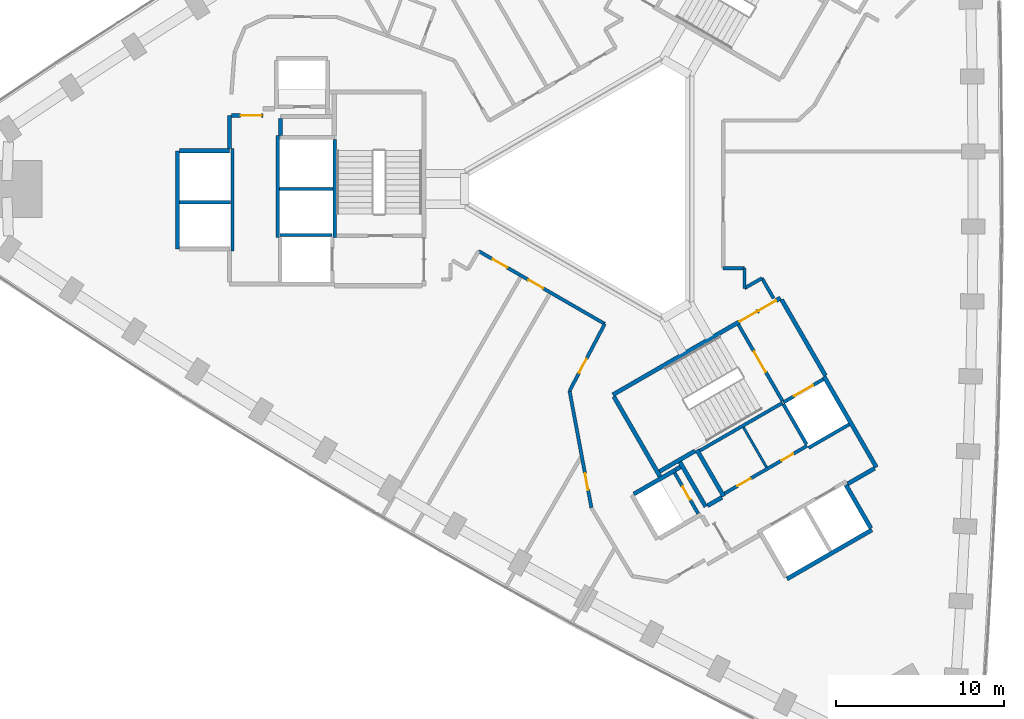
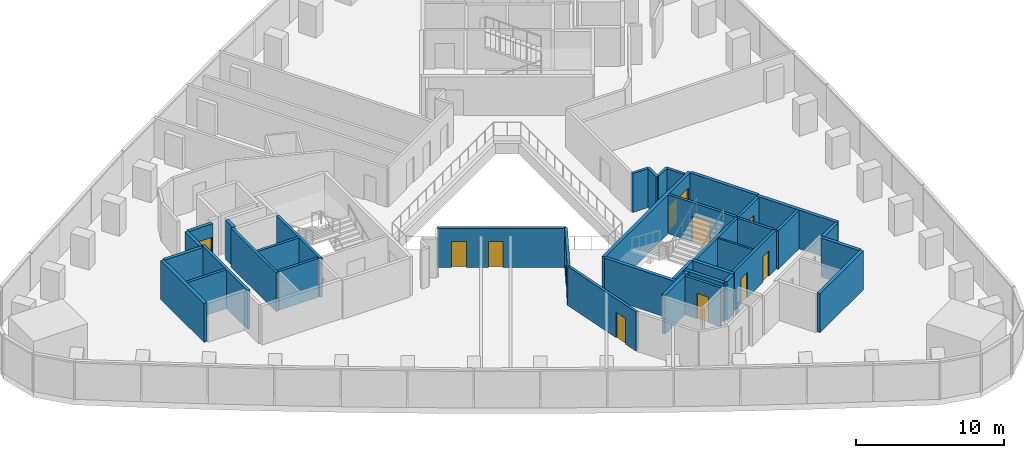
# One storey, part 8 of 12: 39 walls, 12 doors, 12 openings.
"""IFC4 building model written with IfcOpenShell, lengths in metres."""

import ifcopenshell
import ifcopenshell.guid

model = None  # the IFC model being written
_history = None  # IfcOwnerHistory: only IFC2X3 demands one
_inside = {}  # id of a spatial element -> (the spatial element, [elements in it])
_under = {}  # id of a project, library or spatial element -> (it, [spatial elements below it])
_declared = {}  # id of a project -> (the project, [libraries it declares])
_typed = {}  # id of a type object -> (the type object, [elements of that type])
_made_of = {}  # id of a material, layer set ... -> (it, [elements and type objects made of it])


def new_model(schema):
    """Start an empty IFC model of exactly this schema.

    Asked for "IFC4X3", IfcOpenShell would pick the latest addendum, in which some entities
    have other attributes; the version numbers below select the first issue.
    IFC2X3 requires an IfcOwnerHistory on every rooted entity: one is made here for all.
    """
    global model, _history
    if schema == "IFC4X3":
        model = ifcopenshell.file(schema_version=(4, 3, 0, 0))
    else:
        model = ifcopenshell.file(schema=schema)
    _inside.clear()
    _under.clear()
    _declared.clear()
    _typed.clear()
    _made_of.clear()
    _history = None
    if model.schema == "IFC2X3":
        org = make("IfcOrganization", Name="unknown")
        user = make(
            "IfcPersonAndOrganization",
            ThePerson=make("IfcPerson", FamilyName="unknown"),
            TheOrganization=org,
        )
        app = make(
            "IfcApplication",
            ApplicationDeveloper=org,
            Version="unknown",
            ApplicationFullName="unknown",
            ApplicationIdentifier="unknown",
        )
        _history = make(
            "IfcOwnerHistory",
            OwningUser=user,
            OwningApplication=app,
            ChangeAction="ADDED",
            CreationDate=0,
        )
    return model


def make(cls, **values):
    """One entity of the class cls with the attributes given. An attribute that is None is left unset."""
    return model.create_entity(
        cls, **{name: value for name, value in values.items() if value is not None}
    )


def rooted(cls, **values):
    """An entity with a GlobalId (a new one), such as an element, a storey or a relation."""
    return make(cls, GlobalId=ifcopenshell.guid.new(), OwnerHistory=_history, **values)


def si_unit(unit_type, name, prefix=None):
    """IfcSIUnit, for example si_unit("LENGTHUNIT", "METRE", prefix="MILLI")."""
    return make("IfcSIUnit", UnitType=unit_type, Prefix=prefix, Name=name)


def assignment(units):
    """IfcUnitAssignment: the units of a project."""
    return None if units is None else make("IfcUnitAssignment", Units=units)


def point(xyz):
    """IfcCartesianPoint."""
    return None if xyz is None else make("IfcCartesianPoint", Coordinates=xyz)


def direction(xyz):
    """IfcDirection."""
    return None if xyz is None else make("IfcDirection", DirectionRatios=xyz)


def frame(location, z_axis=None, x_axis=None):
    """IfcAxis2Placement3D, a coordinate frame: its origin and axes. An axis left out is left unset."""
    return make(
        "IfcAxis2Placement3D",
        Location=point(location),
        Axis=direction(z_axis),
        RefDirection=direction(x_axis),
    )


def frame_2d(location, x_axis=None):
    """IfcAxis2Placement2D, a coordinate frame in the plane: its origin and x axis."""
    return make(
        "IfcAxis2Placement2D", Location=point(location), RefDirection=direction(x_axis)
    )


def origin():
    """The frame at (0, 0, 0) with its axes left unset."""
    return frame((0.0, 0.0, 0.0))


def place(relative_to, where):
    """IfcLocalPlacement: puts the frame where relative to a parent placement (None: the world)."""
    return make(
        "IfcLocalPlacement", PlacementRelTo=relative_to, RelativePlacement=where
    )


def context(
    kind, dimensions, precision=None, world=None, true_north=None, identifier=None
):
    """IfcGeometricRepresentationContext, for example the 3D "Model" context."""
    return make(
        "IfcGeometricRepresentationContext",
        ContextIdentifier=identifier,
        ContextType=kind,
        CoordinateSpaceDimension=dimensions,
        Precision=precision,
        WorldCoordinateSystem=world,
        TrueNorth=true_north,
    )


def subcontext(parent, identifier, kind, view, scale=None):
    """IfcGeometricRepresentationSubContext, for example "Body" below "Model"."""
    return make(
        "IfcGeometricRepresentationSubContext",
        ContextIdentifier=identifier,
        ContextType=kind,
        ParentContext=parent,
        TargetScale=scale,
        TargetView=view,
    )


def project(units=None, contexts=None):
    """IfcProject with its units and contexts."""
    return rooted(
        "IfcProject",
        Name="project",
        RepresentationContexts=contexts,
        UnitsInContext=assignment(units),
    )


def spatial(cls, under=None, at=None, **own):
    """A site, building, storey or space (cls), placed at a placement, below another one or the project."""
    s = rooted(cls, ObjectPlacement=at, **own)
    if under is not None:
        _under.setdefault(under.id(), (under, []))[1].append(s)
    return s


def profile(cls, at=None, kind="AREA", **sizes):
    """A parametric profile (cls). Its sizes go by their IFC names, for example OverallWidth=200.0."""
    return make(cls, ProfileType=kind, Position=at, **sizes)


def rectangle(**sizes):
    """IfcRectangleProfileDef."""
    return profile("IfcRectangleProfileDef", **sizes)


def extrude(swept, where, along, depth):
    """IfcExtrudedAreaSolid: the profile swept, set in the frame where, extruded along a direction by depth."""
    return make(
        "IfcExtrudedAreaSolid",
        SweptArea=swept,
        Position=where,
        ExtrudedDirection=direction(along),
        Depth=depth,
    )


def shape(context_of_items, identifier, shape_type, items):
    """IfcShapeRepresentation: the items that make up one representation, for example the "Body"."""
    return make(
        "IfcShapeRepresentation",
        ContextOfItems=context_of_items,
        RepresentationIdentifier=identifier,
        RepresentationType=shape_type,
        Items=items,
    )


def material(Name=None, Category=None):
    """IfcMaterial."""
    return make("IfcMaterial", Name=Name, Category=Category)


def layer(
    of_material, thickness, ventilated=None, Name=None, Category=None, Priority=None
):
    """IfcMaterialLayer: one layer of a wall or slab, of a material (None: an air gap)."""
    return make(
        "IfcMaterialLayer",
        Material=of_material,
        LayerThickness=thickness,
        IsVentilated=ventilated,
        Name=Name,
        Category=Category,
        Priority=Priority,
    )


def layer_set(layers, Name=None):
    """IfcMaterialLayerSet."""
    return make("IfcMaterialLayerSet", MaterialLayers=layers, LayerSetName=Name)


def made_of(thing, what):
    """Note that an element or type object is made of a material, layer set ...; save() writes the relation."""
    if what is not None:
        _made_of.setdefault(what.id(), (what, []))[1].append(thing)
    return thing


def type_object(cls, material=None, **own):
    """A type object (cls), such as IfcWallType, which elements share."""
    return made_of(rooted(cls, **own), material)


def element(
    cls,
    number,
    at=None,
    inside=None,
    cuts=None,
    type_object=None,
    material=None,
    context=None,
    identifier="Body",
    shape_type=None,
    held_by="IfcProductDefinitionShape",
    body=None,
    shapes=None,
    **own,
):
    """One element of the class cls, such as IfcWall. Its Tag is "e" and its number.

    at: its placement. inside: the storey or other place that contains it. cuts: it is an
    opening in that element (IfcRelVoidsElement). A single representation is given by context,
    identifier, shape_type and body (its items); several are given by shapes. held_by: the class
    of the entity that holds the representations. save() writes the other relations.
    """
    e = rooted(cls, Tag="e%d" % number, ObjectPlacement=at, **own)
    if body is not None:
        shapes = [shape(context, identifier, shape_type, body)]
    if shapes is not None:
        e.Representation = make(held_by, Representations=shapes)
    if inside is not None:
        _inside.setdefault(inside.id(), (inside, []))[1].append(e)
    if cuts is not None:
        rooted(
            "IfcRelVoidsElement", RelatingBuildingElement=cuts, RelatedOpeningElement=e
        )
    if type_object is not None:
        _typed.setdefault(type_object.id(), (type_object, []))[1].append(e)
    return made_of(e, material)


def fill(opening, filler):
    """IfcRelFillsElement: the door or window that sits in an opening."""
    return rooted(
        "IfcRelFillsElement",
        RelatingOpeningElement=opening,
        RelatedBuildingElement=filler,
    )


def aggregate(whole, parts):
    """IfcRelAggregates: a whole, such as a stair, and the parts it consists of."""
    return rooted("IfcRelAggregates", RelatingObject=whole, RelatedObjects=parts)


def save(model, path):
    """Write the relations noted so far, then the file.

    IfcRelAggregates (storeys below a building ...), IfcRelContainedInSpatialStructure (elements
    in a storey), IfcRelDefinesByType, IfcRelAssociatesMaterial and IfcRelDeclares: one each for
    every whole, place, type object, material and project.
    """
    for whole, parts in _under.values():
        aggregate(whole, parts)
    for where, things in _inside.values():
        rooted(
            "IfcRelContainedInSpatialStructure",
            RelatedElements=things,
            RelatingStructure=where,
        )
    for kind, things in _typed.values():
        rooted("IfcRelDefinesByType", RelatedObjects=things, RelatingType=kind)
    for what, things in _made_of.values():
        rooted("IfcRelAssociatesMaterial", RelatedObjects=things, RelatingMaterial=what)
    for by, libraries in _declared.values():
        rooted("IfcRelDeclares", RelatingContext=by, RelatedDefinitions=libraries)
    model.write(path)


model = new_model("IFC4")

# Units and contexts
model_context = context("Model", 3, precision=1e-05, world=origin(), true_north=direction((0.0, 1.0)))
body_context = subcontext(model_context, "Body", "Model", "MODEL_VIEW")
ifc_project = project(units=[si_unit("LENGTHUNIT", "METRE"), si_unit("AREAUNIT", "SQUARE_METRE"), si_unit("VOLUMEUNIT", "CUBIC_METRE"), si_unit("PLANEANGLEUNIT", "RADIAN"), si_unit("MASSUNIT", "GRAM", prefix="KILO")], contexts=[model_context])

# Site, building, storey
site_placement = place(None, origin())
site = spatial("IfcSite", under=ifc_project, at=site_placement, CompositionType="ELEMENT")
building_placement = place(site_placement, origin())
building = spatial("IfcBuilding", under=site, at=building_placement, Name="Tamra Quay Hotel Tower", CompositionType="ELEMENT")
storey_placement = place(building_placement, frame((0.0, 0.0, 71.0)))
storey = spatial("IfcBuildingStorey", under=building, at=storey_placement, Name="L16", CompositionType="ELEMENT", Elevation=71.0)

# Walls
ifc_material_1 = material(Name="Concrete M70", Category="concrete")
ifc_layer_1 = layer(ifc_material_1, 0.199951171875)
ifc_layer_set_1 = layer_set([ifc_layer_1], Name="Concrete M70 core wall 200")
wall_type_1 = type_object("IfcWallType", Name="Concrete M70 core wall 200", PredefinedType="SHEAR", material=ifc_layer_set_1)
wall_1_placement = place(storey_placement, frame((-16.162109375, 2.95068359375, 0.0), z_axis=(0.0, 0.0, 1.0), x_axis=(0.0, -1.0, 0.0)))
element("IfcWall", 1, at=wall_1_placement, inside=storey, type_object=wall_type_1, Name="CW2", PredefinedType="SHEAR", context=body_context, shape_type="SweptSolid", body=[
    extrude(rectangle(XDim=5.850830078125, YDim=0.199951171875, at=frame_2d((2.92529296875, 0.0))), origin(), (0.0, 0.0, 1.0), 3.199951171875),
])
for number, where, z_axis, x_axis, name in (
    (2, (-19.5625, -2.900146484375, 0.0), (0.0, 0.0, 1.0), (0.0, 1.0, 0.0), "CW2"),
    (3, (-22.26220703125, 2.400146484375, 0.0), (0.0, 0.0, 1.0), (0.0, -1.0, 0.0), "CW2"),
):
    element("IfcWall", number, at=place(storey_placement, frame(where, z_axis=z_axis, x_axis=x_axis)), inside=storey, type_object=wall_type_1, Name=name, PredefinedType="SHEAR", context=body_context, shape_type="SweptSolid", body=[
        extrude(rectangle(XDim=6.100341796875, YDim=0.199951171875, at=frame_2d((3.05029296875, 0.0))), origin(), (0.0, 0.0, 1.0), 3.199951171875),
    ])
wall_2_placement = place(storey_placement, frame((-16.26318359375, 0.0, 0.0), z_axis=(0.0, 0.0, 1.0), x_axis=(-1.0, 0.0, 0.0)))
element("IfcWall", 4, at=wall_2_placement, inside=storey, type_object=wall_type_1, Name="CW2", PredefinedType="SHEAR", context=body_context, shape_type="SweptSolid", body=[
    extrude(rectangle(XDim=3.1982421875, YDim=0.199951171875, at=frame_2d((1.59912109375, 0.0))), origin(), (0.0, 0.0, 1.0), 3.199951171875),
])
wall_3_placement = place(storey_placement, frame((-22.36328125, -0.800048828125, 0.0), z_axis=(0.0, 0.0, 1.0), x_axis=(-1.0, 0.0, 0.0)))
element("IfcWall", 5, at=wall_3_placement, inside=storey, type_object=wall_type_1, Name="CW2", PredefinedType="SHEAR", context=body_context, shape_type="SweptSolid", body=[
    extrude(rectangle(XDim=3.048095703125, YDim=0.199951171875, at=frame_2d((1.52392578125, 0.0))), origin(), (0.0, 0.0, 1.0), 3.199951171875),
])
wall_4_placement = place(storey_placement, frame((-19.412353515625, -2.75, 0.0), z_axis=(0.0, 0.0, 1.0), x_axis=(1.0, 0.0, 0.0)))
element("IfcWall", 6, at=wall_4_placement, inside=storey, type_object=wall_type_1, Name="CW2", PredefinedType="SHEAR", context=body_context, shape_type="SweptSolid", body=[
    extrude(rectangle(XDim=3.10009765625, YDim=0.199951171875, at=frame_2d((1.550048828125, 0.0))), origin(), (0.0, 0.0, 1.0), 3.199951171875),
])
wall_5_placement = place(storey_placement, frame((10.537841796875, -12.751953125, 0.0), z_axis=(0.0, 0.0, 1.0), x_axis=(-0.866038630372, -0.499977090179, 0.0)))
element("IfcWall", 7, at=wall_5_placement, inside=storey, type_object=wall_type_1, Name="CW2", PredefinedType="SHEAR", context=body_context, shape_type="SweptSolid", body=[
    extrude(rectangle(XDim=5.698974609375, YDim=0.199951171875, at=frame_2d((2.849609375, 0.0))), origin(), (0.0, 0.0, 1.0), 3.199951171875),
])

# Wall, openings, doors
wall_6_placement = place(storey_placement, frame((7.0771484375, -18.156005859375, 0.0), z_axis=(0.0, 0.0, 1.0), x_axis=(0.866038630372, 0.499977090179, 0.0)))
wall_6 = element("IfcWall", 8, at=wall_6_placement, inside=storey, type_object=wall_type_1, Name="CW2", PredefinedType="SHEAR", context=body_context, shape_type="SweptSolid", body=[
    extrude(rectangle(XDim=5.698974609375, YDim=0.199951171875, at=frame_2d((2.849609375, 0.0))), origin(), (0.0, 0.0, 1.0), 3.199951171875),
])
opening_1_placement = place(wall_6_placement, frame((0.89892578125, 0.0, 0.0)))
opening_1 = element("IfcOpeningElement", 9, at=opening_1_placement, cuts=wall_6, Name="Opening D2", PredefinedType="OPENING", context=body_context, shape_type="SweptSolid", body=[
    extrude(rectangle(XDim=0.89990234375, YDim=2.10009765625, at=frame_2d((0.449951171875, 1.050048828125))), frame((0.0, 0.10986328125, 0.0), z_axis=(0.0, -1.0, 0.0), x_axis=(1.0, 0.0, 0.0)), (0.0, 0.0, 1.0), 0.219970703125),
])
opening_2_placement = place(wall_6_placement, frame((3.924072265625, 0.0, 0.0)))
opening_2 = element("IfcOpeningElement", 10, at=opening_2_placement, cuts=wall_6, Name="Opening D3", PredefinedType="OPENING", context=body_context, shape_type="SweptSolid", body=[
    extrude(rectangle(XDim=0.800048828125, YDim=2.10009765625, at=frame_2d((0.39990234375, 1.050048828125))), frame((0.0, 0.10986328125, 0.0), z_axis=(0.0, -1.0, 0.0), x_axis=(1.0, 0.0, 0.0)), (0.0, 0.0, 1.0), 0.219970703125),
])
ifc_material_2 = material(Name="Core door D2 900x2100 RH")
door_type_1 = type_object("IfcDoorType", Name="Core door D2 900x2100 RH", OperationType="NOTDEFINED", PredefinedType="DOOR", material=ifc_material_2)
door_1_placement = place(opening_1_placement, origin())
door_1 = element("IfcDoor", 11, at=door_1_placement, inside=storey, type_object=door_type_1, Name="D2", OperationType="SINGLE_SWING_RIGHT", OverallHeight=2.10009765625, OverallWidth=0.89990234375, PredefinedType="DOOR", context=body_context, shape_type="SweptSolid", body=[
    extrude(rectangle(XDim=0.89990234375, YDim=2.10009765625, at=frame_2d((0.449951171875, 1.050048828125))), frame((0.0, 0.02490234375, 0.0), z_axis=(0.0, -1.0, 0.0), x_axis=(1.0, 0.0, 0.0)), (0.0, 0.0, 1.0), 0.050048828125),
])
fill(opening_1, door_1)
ifc_material_3 = material(Name="Core door D3 800x2100 LH")
door_type_2 = type_object("IfcDoorType", Name="Core door D3 800x2100 LH", OperationType="NOTDEFINED", PredefinedType="DOOR", material=ifc_material_3)
door_2_placement = place(opening_2_placement, origin())
door_2 = element("IfcDoor", 12, at=door_2_placement, inside=storey, type_object=door_type_2, Name="D3", OperationType="SINGLE_SWING_LEFT", OverallHeight=2.10009765625, OverallWidth=0.800048828125, PredefinedType="DOOR", context=body_context, shape_type="SweptSolid", body=[
    extrude(rectangle(XDim=0.800048828125, YDim=2.10009765625, at=frame_2d((0.39990234375, 1.050048828125))), frame((0.0, 0.02490234375, 0.0), z_axis=(0.0, -1.0, 0.0), x_axis=(1.0, 0.0, 0.0)), (0.0, 0.0, 1.0), 0.050048828125),
])
fill(opening_2, door_2)

# Wall, opening, door
wall_7_placement = place(storey_placement, frame((7.906494140625, -8.094482421875, 0.0), z_axis=(0.0, 0.0, 1.0), x_axis=(0.500024287448, -0.866011380966, 0.0)))
wall_7 = element("IfcWall", 13, at=wall_7_placement, inside=storey, type_object=wall_type_1, Name="CW2", PredefinedType="SHEAR", context=body_context, shape_type="SweptSolid", body=[
    extrude(rectangle(XDim=5.251220703125, YDim=0.199951171875, at=frame_2d((2.62548828125, 0.0))), origin(), (0.0, 0.0, 1.0), 3.199951171875),
])
opening_3_placement = place(wall_7_placement, frame((1.84912109375, 0.0, 0.0)))
opening_3 = element("IfcOpeningElement", 14, at=opening_3_placement, cuts=wall_7, Name="Opening FD2", PredefinedType="OPENING", context=body_context, shape_type="SweptSolid", body=[
    extrude(rectangle(XDim=1.39990234375, YDim=2.10009765625, at=frame_2d((0.699951171875, 1.050048828125))), frame((0.0, 0.10986328125, 0.0), z_axis=(0.0, -1.0, 0.0), x_axis=(1.0, 0.0, 0.0)), (0.0, 0.0, 1.0), 0.219970703125),
])
ifc_material_4 = material(Name="Core door FD2 1400x2100 LH")
door_type_3 = type_object("IfcDoorType", Name="Core door FD2 1400x2100 LH", OperationType="NOTDEFINED", PredefinedType="DOOR", material=ifc_material_4)
door_3_placement = place(opening_3_placement, origin())
door_3 = element("IfcDoor", 15, at=door_3_placement, inside=storey, type_object=door_type_3, Name="FD2", OperationType="SINGLE_SWING_LEFT", OverallHeight=2.10009765625, OverallWidth=1.39990234375, PredefinedType="DOOR", context=body_context, shape_type="SweptSolid", body=[
    extrude(rectangle(XDim=1.39990234375, YDim=2.10009765625, at=frame_2d((0.699951171875, 1.050048828125))), frame((0.0, 0.02490234375, 0.0), z_axis=(0.0, -1.0, 0.0), x_axis=(1.0, 0.0, 0.0)), (0.0, 0.0, 1.0), 0.050048828125),
])
fill(opening_3, door_3)

wall_8_placement = place(storey_placement, frame((5.50341796875, -19.352294921875, 0.0), z_axis=(0.0, 0.0, 1.0), x_axis=(-0.499986818241, 0.866033014143, 0.0)))
wall_8 = element("IfcWall", 16, at=wall_8_placement, inside=storey, type_object=wall_type_1, Name="CW2", PredefinedType="SHEAR", context=body_context, shape_type="SweptSolid", body=[
    extrude(rectangle(XDim=2.7978515625, YDim=0.199951171875, at=frame_2d((1.39892578125, 0.0))), origin(), (0.0, 0.0, 1.0), 3.199951171875),
])
opening_4_placement = place(wall_8_placement, frame((0.948974609375, 0.0, 0.0)))
opening_4 = element("IfcOpeningElement", 17, at=opening_4_placement, cuts=wall_8, Name="Opening D1", PredefinedType="OPENING", context=body_context, shape_type="SweptSolid", body=[
    extrude(rectangle(XDim=0.89990234375, YDim=2.10009765625, at=frame_2d((0.449951171875, 1.050048828125))), frame((0.0, 0.10986328125, 0.0), z_axis=(0.0, -1.0, 0.0), x_axis=(1.0, 0.0, 0.0)), (0.0, 0.0, 1.0), 0.219970703125),
])
ifc_material_5 = material(Name="Core door D1 900x2100 RH")
door_type_4 = type_object("IfcDoorType", Name="Core door D1 900x2100 RH", OperationType="NOTDEFINED", PredefinedType="DOOR", material=ifc_material_5)
door_4_placement = place(opening_4_placement, origin())
door_4 = element("IfcDoor", 18, at=door_4_placement, inside=storey, type_object=door_type_4, Name="D1", OperationType="SINGLE_SWING_RIGHT", OverallHeight=2.10009765625, OverallWidth=0.89990234375, PredefinedType="DOOR", context=body_context, shape_type="SweptSolid", body=[
    extrude(rectangle(XDim=0.89990234375, YDim=2.10009765625, at=frame_2d((0.449951171875, 1.050048828125))), frame((0.0, 0.02490234375, 0.0), z_axis=(0.0, -1.0, 0.0), x_axis=(1.0, 0.0, 0.0)), (0.0, 0.0, 1.0), 0.050048828125),
])
fill(opening_4, door_4)

# Wall
wall_9_placement = place(storey_placement, frame((11.962646484375, -15.219970703125, 0.0), z_axis=(0.0, 0.0, 1.0), x_axis=(-0.500034990121, 0.866005201286, 0.0)))
element("IfcWall", 19, at=wall_9_placement, inside=storey, type_object=wall_type_1, Name="CW2", PredefinedType="SHEAR", context=body_context, shape_type="SweptSolid", body=[
    extrude(rectangle(XDim=2.749755859375, YDim=0.199951171875, at=frame_2d((1.375, 0.0))), origin(), (0.0, 0.0, 1.0), 3.199951171875),
])

# Wall, opening, door
wall_10_placement = place(storey_placement, frame((10.587158203125, -12.72314453125, 0.0), z_axis=(0.0, 0.0, 1.0), x_axis=(0.866037306777, 0.499979382845, 0.0)))
wall_10 = element("IfcWall", 20, at=wall_10_placement, inside=storey, type_object=wall_type_1, Name="CW2", PredefinedType="SHEAR", context=body_context, shape_type="SweptSolid", body=[
    extrude(rectangle(XDim=2.74169921875, YDim=0.199951171875, at=frame_2d((1.370849609375, 0.0))), origin(), (0.0, 0.0, 1.0), 3.199951171875),
])
opening_5_placement = place(wall_10_placement, frame((0.742919921875, 0.0, 0.0)))
opening_5 = element("IfcOpeningElement", 21, at=opening_5_placement, cuts=wall_10, Name="Opening LD", PredefinedType="OPENING", context=body_context, shape_type="SweptSolid", body=[
    extrude(rectangle(XDim=1.300048828125, YDim=2.10009765625, at=frame_2d((0.64990234375, 1.050048828125))), frame((0.0, 0.10986328125, 0.0), z_axis=(0.0, -1.0, 0.0), x_axis=(1.0, 0.0, 0.0)), (0.0, 0.0, 1.0), 0.219970703125),
])
ifc_material_6 = material(Name="Landing door LD 1300 sliding to left")
door_type_5 = type_object("IfcDoorType", Name="Landing door LD 1300 sliding to left", OperationType="NOTDEFINED", PredefinedType="DOOR", material=ifc_material_6)
door_5_placement = place(opening_5_placement, origin())
door_5 = element("IfcDoor", 22, at=door_5_placement, inside=storey, type_object=door_type_5, Name="LD", OperationType="SLIDING_TO_LEFT", OverallHeight=2.10009765625, OverallWidth=1.300048828125, PredefinedType="DOOR", context=body_context, shape_type="SweptSolid", body=[
    extrude(rectangle(XDim=1.300048828125, YDim=2.10009765625, at=frame_2d((0.64990234375, 1.050048828125))), frame((0.0, 0.02490234375, 0.0), z_axis=(0.0, -1.0, 0.0), x_axis=(1.0, 0.0, 0.0)), (0.0, 0.0, 1.0), 0.050048828125),
])
fill(opening_5, door_5)

# Walls
wall_11_placement = place(storey_placement, frame((14.51171875, -14.037109375, 0.0), z_axis=(0.0, 0.0, 1.0), x_axis=(-0.866044696403, -0.499966582715, 0.0)))
element("IfcWall", 23, at=wall_11_placement, inside=storey, type_object=wall_type_1, Name="CW2", PredefinedType="SHEAR", context=body_context, shape_type="SweptSolid", body=[
    extrude(rectangle(XDim=2.799072265625, YDim=0.199951171875, at=frame_2d((1.3994140625, 0.0))), origin(), (0.0, 0.0, 1.0), 3.199951171875),
])
ifc_layer_2 = layer(ifc_material_1, 0.25)
ifc_layer_set_2 = layer_set([ifc_layer_2], Name="Concrete M70 core wall 250")
wall_type_2 = type_object("IfcWallType", Name="Concrete M70 core wall 250", PredefinedType="SHEAR", material=ifc_layer_set_2)
wall_12_placement = place(storey_placement, frame((-25.537353515625, -3.574951171875, 0.0), z_axis=(0.0, 0.0, 1.0), x_axis=(0.0, 1.0, 0.0)))
element("IfcWall", 24, at=wall_12_placement, inside=storey, type_object=wall_type_2, Name="CW1", PredefinedType="SHEAR", context=body_context, shape_type="SweptSolid", body=[
    extrude(rectangle(XDim=5.849853515625, YDim=0.25, at=frame_2d((2.9248046875, 0.0))), origin(), (0.0, 0.0, 1.0), 3.199951171875),
])
wall_13_placement = place(storey_placement, frame((-25.411865234375, 2.27490234375, 0.0), z_axis=(0.0, 0.0, 1.0), x_axis=(1.0, 0.0, 0.0)))
element("IfcWall", 25, at=wall_13_placement, inside=storey, type_object=wall_type_2, Name="CW1", PredefinedType="SHEAR", context=body_context, shape_type="SweptSolid", body=[
    extrude(rectangle(XDim=2.974609375, YDim=0.25, at=frame_2d((1.4873046875, 0.0))), origin(), (0.0, 0.0, 1.0), 3.199951171875),
])
wall_14_placement = place(storey_placement, frame((-22.437255859375, 2.400390625, 0.0), z_axis=(0.0, 0.0, 1.0), x_axis=(0.0, 1.0, 0.0)))
element("IfcWall", 26, at=wall_14_placement, inside=storey, type_object=wall_type_2, Name="CW1", PredefinedType="SHEAR", context=body_context, shape_type="SweptSolid", body=[
    extrude(rectangle(XDim=1.974609375, YDim=0.25, at=frame_2d((0.9873046875, 0.0))), origin(), (0.0, 0.0, 1.0), 3.199951171875),
])

# Wall, opening, door
wall_15_placement = place(storey_placement, frame((-22.311767578125, 4.375, 0.0), z_axis=(0.0, 0.0, 1.0), x_axis=(1.0, 0.0, 0.0)))
wall_15 = element("IfcWall", 27, at=wall_15_placement, inside=storey, type_object=wall_type_2, Name="CW1", PredefinedType="SHEAR", context=body_context, shape_type="SweptSolid", body=[
    extrude(rectangle(XDim=1.864501953125, YDim=0.25, at=frame_2d((0.93212890625, 0.0))), origin(), (0.0, 0.0, 1.0), 3.199951171875),
])
opening_6_placement = place(wall_15_placement, frame((0.53466796875, 0.0, 0.0)))
opening_6 = element("IfcOpeningElement", 28, at=opening_6_placement, cuts=wall_15, Name="Opening FD3", PredefinedType="OPENING", context=body_context, shape_type="SweptSolid", body=[
    extrude(rectangle(XDim=1.25, YDim=2.10009765625, at=frame_2d((0.625, 1.050048828125))), frame((0.0, 0.135009765625, 0.0), z_axis=(0.0, -1.0, 0.0), x_axis=(1.0, 0.0, 0.0)), (0.0, 0.0, 1.0), 0.27001953125),
])
ifc_material_7 = material(Name="Core door FD3 1250x2100 LH")
door_type_6 = type_object("IfcDoorType", Name="Core door FD3 1250x2100 LH", OperationType="NOTDEFINED", PredefinedType="DOOR", material=ifc_material_7)
door_6_placement = place(opening_6_placement, origin())
door_6 = element("IfcDoor", 29, at=door_6_placement, inside=storey, type_object=door_type_6, Name="FD3", OperationType="SINGLE_SWING_LEFT", OverallHeight=2.10009765625, OverallWidth=1.25, PredefinedType="DOOR", context=body_context, shape_type="SweptSolid", body=[
    extrude(rectangle(XDim=1.25, YDim=2.10009765625, at=frame_2d((0.625, 1.050048828125))), frame((0.0, 0.02490234375, 0.0), z_axis=(0.0, -1.0, 0.0), x_axis=(1.0, 0.0, 0.0)), (0.0, 0.0, 1.0), 0.050048828125),
])
fill(opening_6, door_6)

# Wall
wall_16_placement = place(storey_placement, frame((-19.38720703125, 4.189697265625, 0.0), z_axis=(0.0, 0.0, 1.0), x_axis=(0.0, -1.0, 0.0)))
element("IfcWall", 30, at=wall_16_placement, inside=storey, type_object=wall_type_2, Name="CW1", PredefinedType="SHEAR", context=body_context, shape_type="SweptSolid", body=[
    extrude(rectangle(XDim=0.9892578125, YDim=0.25, at=frame_2d((0.49462890625, 0.0))), origin(), (0.0, 0.0, 1.0), 3.199951171875),
])

# Wall, openings, doors
wall_17_placement = place(storey_placement, frame((0.417236328125, -12.27294921875, 0.0), z_axis=(0.0, 0.0, 1.0), x_axis=(0.866021906294, 0.500006057782, 0.0)))
wall_17 = element("IfcWall", 31, at=wall_17_placement, inside=storey, type_object=wall_type_2, Name="CW1", PredefinedType="SHEAR", context=body_context, shape_type="SweptSolid", body=[
    extrude(rectangle(XDim=11.550048828125, YDim=0.25, at=frame_2d((5.77490234375, 0.0))), origin(), (0.0, 0.0, 1.0), 3.199951171875),
])
opening_7_placement = place(wall_17_placement, frame((10.024658203125, 0.0, 0.0)))
opening_7 = element("IfcOpeningElement", 32, at=opening_7_placement, cuts=wall_17, Name="Opening FD1", PredefinedType="OPENING", context=body_context, shape_type="SweptSolid", body=[
    extrude(rectangle(XDim=1.199951171875, YDim=2.10009765625, at=frame_2d((0.60009765625, 1.050048828125))), frame((0.0, 0.135009765625, 0.0), z_axis=(0.0, -1.0, 0.0), x_axis=(1.0, 0.0, 0.0)), (0.0, 0.0, 1.0), 0.27001953125),
])
opening_8_placement = place(wall_17_placement, frame((8.724609375, 0.0, 0.0)))
opening_8 = element("IfcOpeningElement", 33, at=opening_8_placement, cuts=wall_17, Name="Opening FD1", PredefinedType="OPENING", context=body_context, shape_type="SweptSolid", body=[
    extrude(rectangle(XDim=1.199951171875, YDim=2.10009765625, at=frame_2d((0.60009765625, 1.050048828125))), frame((0.0, 0.135009765625, 0.0), z_axis=(0.0, -1.0, 0.0), x_axis=(1.0, 0.0, 0.0)), (0.0, 0.0, 1.0), 0.27001953125),
])
ifc_material_8 = material(Name="Core door FD1 1200x2100 LH")
door_type_7 = type_object("IfcDoorType", Name="Core door FD1 1200x2100 LH", OperationType="NOTDEFINED", PredefinedType="DOOR", material=ifc_material_8)
door_7_placement = place(opening_7_placement, origin())
door_7 = element("IfcDoor", 34, at=door_7_placement, inside=storey, type_object=door_type_7, Name="FD1", OperationType="SINGLE_SWING_LEFT", OverallHeight=2.10009765625, OverallWidth=1.199951171875, PredefinedType="DOOR", context=body_context, shape_type="SweptSolid", body=[
    extrude(rectangle(XDim=1.199951171875, YDim=2.10009765625, at=frame_2d((0.60009765625, 1.050048828125))), frame((0.0, 0.02490234375, 0.0), z_axis=(0.0, -1.0, 0.0), x_axis=(1.0, 0.0, 0.0)), (0.0, 0.0, 1.0), 0.050048828125),
])
fill(opening_7, door_7)
ifc_material_9 = material(Name="Core door FD1 1200x2100 RH")
door_type_8 = type_object("IfcDoorType", Name="Core door FD1 1200x2100 RH", OperationType="NOTDEFINED", PredefinedType="DOOR", material=ifc_material_9)
door_8_placement = place(opening_8_placement, origin())
door_8 = element("IfcDoor", 35, at=door_8_placement, inside=storey, type_object=door_type_8, Name="FD1", OperationType="SINGLE_SWING_RIGHT", OverallHeight=2.10009765625, OverallWidth=1.199951171875, PredefinedType="DOOR", context=body_context, shape_type="SweptSolid", body=[
    extrude(rectangle(XDim=1.199951171875, YDim=2.10009765625, at=frame_2d((0.60009765625, 1.050048828125))), frame((0.0, 0.02490234375, 0.0), z_axis=(0.0, -1.0, 0.0), x_axis=(1.0, 0.0, 0.0)), (0.0, 0.0, 1.0), 0.050048828125),
])
fill(opening_8, door_8)

# Walls
wall_18_placement = place(storey_placement, frame((13.00830078125, -11.18115234375, 0.0), z_axis=(0.0, 0.0, 1.0), x_axis=(0.500004234368, -0.866022959057, 0.0)))
element("IfcWall", 36, at=wall_18_placement, inside=storey, type_object=wall_type_2, Name="CW1", PredefinedType="SHEAR", context=body_context, shape_type="SweptSolid", body=[
    extrude(rectangle(XDim=6.25, YDim=0.25, at=frame_2d((3.125, 0.0))), origin(), (0.0, 0.0, 1.0), 3.199951171875),
])
wall_19_placement = place(storey_placement, frame((15.86474609375, -20.328369140625, 0.0), z_axis=(0.0, 0.0, 1.0), x_axis=(-0.86602852612, -0.499994591916, 0.0)))
element("IfcWall", 37, at=wall_19_placement, inside=storey, type_object=wall_type_2, Name="CW1", PredefinedType="SHEAR", context=body_context, shape_type="SweptSolid", body=[
    extrude(rectangle(XDim=5.85009765625, YDim=0.25, at=frame_2d((2.925048828125, 0.0))), origin(), (0.0, 0.0, 1.0), 3.199951171875),
])
wall_20_placement = place(storey_placement, frame((3.23486328125, -17.15283203125, 0.0), z_axis=(0.0, 0.0, 1.0), x_axis=(-0.500008851346, 0.866020293397, 0.0)))
element("IfcWall", 38, at=wall_20_placement, inside=storey, type_object=wall_type_2, Name="CW1", PredefinedType="SHEAR", context=body_context, shape_type="SweptSolid", body=[
    extrude(rectangle(XDim=5.509765625, YDim=0.25, at=frame_2d((2.7548828125, 0.0))), origin(), (0.0, 0.0, 1.0), 3.199951171875),
])
wall_21_placement = place(storey_placement, frame((10.482666015625, -6.6064453125, 0.0), z_axis=(0.0, 0.0, 1.0), x_axis=(0.49999885962, -0.866026062182, 0.0)))
element("IfcWall", 39, at=wall_21_placement, inside=storey, type_object=wall_type_2, Name="CW1", PredefinedType="SHEAR", context=body_context, shape_type="SweptSolid", body=[
    extrude(rectangle(XDim=5.224609375, YDim=0.25, at=frame_2d((2.6123046875, 0.0))), origin(), (0.0, 0.0, 1.0), 3.199951171875),
])
wall_22_placement = place(storey_placement, frame((7.030517578125, -18.327392578125, 0.0), z_axis=(0.0, 0.0, 1.0), x_axis=(-0.499971222258, 0.866042017984, 0.0)))
element("IfcWall", 40, at=wall_22_placement, inside=storey, type_object=wall_type_2, Name="CW1", PredefinedType="SHEAR", context=body_context, shape_type="SweptSolid", body=[
    extrude(rectangle(XDim=3.199951171875, YDim=0.25, at=frame_2d((1.60009765625, 0.0))), origin(), (0.0, 0.0, 1.0), 3.199951171875),
])
wall_23_placement = place(storey_placement, frame((14.314697265625, -17.643798828125, 0.0), z_axis=(0.0, 0.0, 1.0), x_axis=(0.500023226632, -0.866011993467, 0.0)))
element("IfcWall", 41, at=wall_23_placement, inside=storey, type_object=wall_type_2, Name="CW1", PredefinedType="SHEAR", context=body_context, shape_type="SweptSolid", body=[
    extrude(rectangle(XDim=2.974365234375, YDim=0.25, at=frame_2d((1.4873046875, 0.0))), origin(), (0.0, 0.0, 1.0), 3.199951171875),
])
wall_24_placement = place(storey_placement, frame((1.6689453125, -18.189697265625, 0.0), z_axis=(0.0, 0.0, 1.0), x_axis=(0.866042235819, 0.499970844928, 0.0)))
element("IfcWall", 42, at=wall_24_placement, inside=storey, type_object=wall_type_2, Name="CW1", PredefinedType="SHEAR", context=body_context, shape_type="SweptSolid", body=[
    extrude(rectangle(XDim=2.864501953125, YDim=0.25, at=frame_2d((1.43212890625, 0.0))), origin(), (0.0, 0.0, 1.0), 3.199951171875),
])
wall_25_placement = place(storey_placement, frame((4.414306640625, -16.275634765625, 0.0), z_axis=(0.0, 0.0, 1.0), x_axis=(0.500003324108, -0.866023484601, 0.0)))
element("IfcWall", 43, at=wall_25_placement, inside=storey, type_object=wall_type_2, Name="CW1", PredefinedType="SHEAR", context=body_context, shape_type="SweptSolid", body=[
    extrude(rectangle(XDim=3.0849609375, YDim=0.25, at=frame_2d((1.54248046875, 0.0))), origin(), (0.0, 0.0, 1.0), 3.199951171875),
])
wall_26_placement = place(storey_placement, frame((5.322021484375, -15.618896484375, 0.0), z_axis=(0.0, 0.0, 1.0), x_axis=(-0.866026229868, -0.499998569178, 0.0)))
element("IfcWall", 44, at=wall_26_placement, inside=storey, type_object=wall_type_2, Name="CW1", PredefinedType="SHEAR", context=body_context, shape_type="SweptSolid", body=[
    extrude(rectangle(XDim=2.44921875, YDim=0.25, at=frame_2d((1.224609375, 0.0))), origin(), (0.0, 0.0, 1.0), 3.199951171875),
])
wall_27_placement = place(storey_placement, frame((16.024658203125, -16.656494140625, 0.0), z_axis=(0.0, 0.0, 1.0), x_axis=(-0.866016279763, -0.500015802937, 0.0)))
element("IfcWall", 45, at=wall_27_placement, inside=storey, type_object=wall_type_2, Name="CW1", PredefinedType="SHEAR", context=body_context, shape_type="SweptSolid", body=[
    extrude(rectangle(XDim=1.84912109375, YDim=0.25, at=frame_2d((0.924560546875, 0.0))), origin(), (0.0, 0.0, 1.0), 3.199951171875),
])
wall_28_placement = place(storey_placement, frame((6.0654296875, -18.884765625, 0.0), z_axis=(0.0, 0.0, 1.0), x_axis=(0.866017078145, 0.500014420154, 0.0)))
element("IfcWall", 46, at=wall_28_placement, inside=storey, type_object=wall_type_2, Name="CW1", PredefinedType="SHEAR", context=body_context, shape_type="SweptSolid", body=[
    extrude(rectangle(XDim=0.9892578125, YDim=0.25, at=frame_2d((0.49462890625, 0.0))), origin(), (0.0, 0.0, 1.0), 3.199951171875),
])
wall_29_placement = place(storey_placement, frame((4.144775390625, -16.748779296875, 0.0), z_axis=(0.0, 0.0, 1.0), x_axis=(0.866185586049, 0.49972245349, 0.0)))
element("IfcWall", 47, at=wall_29_placement, inside=storey, type_object=wall_type_2, Name="CW1", PredefinedType="SHEAR", context=body_context, shape_type="SweptSolid", body=[
    extrude(rectangle(XDim=0.344482421875, YDim=0.25, at=frame_2d((0.17236328125, 0.0))), origin(), (0.0, 0.0, 1.0), 3.199951171875),
])
ifc_material_10 = material(Name="Blockwork", Category="masonry")
ifc_layer_3 = layer(ifc_material_10, 0.14990234375)
ifc_layer_set_3 = layer_set([ifc_layer_3], Name="Core partition block 150")
wall_type_3 = type_object("IfcWallType", Name="Core partition block 150", PredefinedType="PARTITIONING", material=ifc_layer_set_3)
wall_30_placement = place(storey_placement, frame((8.20654296875, -14.214111328125, 0.0), z_axis=(0.0, 0.0, 1.0), x_axis=(0.50002746344, -0.86600954718, 0.0)))
element("IfcWall", 48, at=wall_30_placement, inside=storey, type_object=wall_type_3, Name="CP1", PredefinedType="PARTITIONING", context=body_context, shape_type="SweptSolid", body=[
    extrude(rectangle(XDim=2.748291015625, YDim=0.14990234375, at=frame_2d((1.3740234375, 0.0))), origin(), (0.0, 0.0, 1.0), 3.199951171875),
])

# Wall, openings, doors
ifc_material_11 = material(Name="Partition corridor wall")
ifc_layer_4 = layer(ifc_material_11, 0.199951171875)
ifc_layer_set_4 = layer_set([ifc_layer_4], Name="Partition corridor wall")
wall_type_4 = type_object("IfcWallType", Name="Partition corridor wall", PredefinedType="PARTITIONING", material=ifc_layer_set_4)
wall_31_placement = place(storey_placement, frame((-7.589111328125, -3.701904296875, 0.0), z_axis=(0.0, 0.0, 1.0), x_axis=(0.866045688893, -0.499964863516, 0.0)))
wall_31 = element("IfcWall", 49, at=wall_31_placement, inside=storey, type_object=wall_type_4, Name="W-C", PredefinedType="PARTITIONING", context=body_context, shape_type="SweptSolid", body=[
    extrude(rectangle(XDim=8.689208984375, YDim=0.199951171875, at=frame_2d((4.3447265625, 0.0))), origin(), (0.0, 0.0, 1.0), 3.199951171875),
])
opening_9_placement = place(wall_31_placement, frame((0.97900390625, 0.0, 0.0)))
opening_9 = element("IfcOpeningElement", 50, at=opening_9_placement, cuts=wall_31, Name="Opening L16-D009", PredefinedType="OPENING", context=body_context, shape_type="SweptSolid", body=[
    extrude(rectangle(XDim=1.0, YDim=2.10009765625, at=frame_2d((0.5, 1.050048828125))), frame((0.0, 0.10986328125, 0.0), z_axis=(0.0, -1.0, 0.0), x_axis=(1.0, 0.0, 0.0)), (0.0, 0.0, 1.0), 0.219970703125),
])
opening_10_placement = place(wall_31_placement, frame((3.44921875, 0.0, 0.0)))
opening_10 = element("IfcOpeningElement", 51, at=opening_10_placement, cuts=wall_31, Name="Opening L16-D010", PredefinedType="OPENING", context=body_context, shape_type="SweptSolid", body=[
    extrude(rectangle(XDim=1.0, YDim=2.10009765625, at=frame_2d((0.5, 1.050048828125))), frame((0.0, 0.10986328125, 0.0), z_axis=(0.0, -1.0, 0.0), x_axis=(1.0, 0.0, 0.0)), (0.0, 0.0, 1.0), 0.219970703125),
])
ifc_material_12 = material(Name="Door guest room 1000x2100")
door_type_9 = type_object("IfcDoorType", Name="Door guest room 1000x2100", OperationType="NOTDEFINED", PredefinedType="DOOR", material=ifc_material_12)
door_9_placement = place(opening_9_placement, frame((1.0, 0.0, 0.0), z_axis=(0.0, 0.0, 1.0), x_axis=(-1.0, 0.0, 0.0)))
door_9 = element("IfcDoor", 52, at=door_9_placement, inside=storey, type_object=door_type_9, Name="L16-D009", OperationType="SINGLE_SWING_LEFT", OverallHeight=2.10009765625, OverallWidth=1.0, PredefinedType="DOOR", context=body_context, shape_type="SweptSolid", body=[
    extrude(rectangle(XDim=1.0, YDim=2.10009765625, at=frame_2d((0.5, 1.050048828125))), frame((0.0, 0.02490234375, 0.0), z_axis=(0.0, -1.0, 0.0), x_axis=(1.0, 0.0, 0.0)), (0.0, 0.0, 1.0), 0.050048828125),
])
fill(opening_9, door_9)
door_10_placement = place(opening_10_placement, frame((1.0, 0.0, 0.0), z_axis=(0.0, 0.0, 1.0), x_axis=(-1.0, 0.0, 0.0)))
door_10 = element("IfcDoor", 53, at=door_10_placement, inside=storey, type_object=door_type_9, Name="L16-D010", OperationType="SINGLE_SWING_LEFT", OverallHeight=2.10009765625, OverallWidth=1.0, PredefinedType="DOOR", context=body_context, shape_type="SweptSolid", body=[
    extrude(rectangle(XDim=1.0, YDim=2.10009765625, at=frame_2d((0.5, 1.050048828125))), frame((0.0, 0.02490234375, 0.0), z_axis=(0.0, -1.0, 0.0), x_axis=(1.0, 0.0, 0.0)), (0.0, 0.0, 1.0), 0.050048828125),
])
fill(opening_10, door_10)

# Wall, opening, door
wall_32_placement = place(storey_placement, frame((-2.162109375, -12.0419921875, 0.0), z_axis=(0.0, 0.0, 1.0), x_axis=(0.183949825522, -0.982935634561, 0.0)))
wall_32 = element("IfcWall", 54, at=wall_32_placement, inside=storey, type_object=wall_type_4, Name="W-C", PredefinedType="PARTITIONING", context=body_context, shape_type="SweptSolid", body=[
    extrude(rectangle(XDim=7.093994140625, YDim=0.199951171875, at=frame_2d((3.546875, 0.0))), origin(), (0.0, 0.0, 1.0), 3.199951171875),
])
opening_11_placement = place(wall_32_placement, frame((5.005859375, 0.0, 0.0)))
opening_11 = element("IfcOpeningElement", 55, at=opening_11_placement, cuts=wall_32, Name="Opening L16-D012", PredefinedType="OPENING", context=body_context, shape_type="SweptSolid", body=[
    extrude(rectangle(XDim=1.0, YDim=2.10009765625, at=frame_2d((0.5, 1.050048828125))), frame((0.0, 0.10986328125, 0.0), z_axis=(0.0, -1.0, 0.0), x_axis=(1.0, 0.0, 0.0)), (0.0, 0.0, 1.0), 0.219970703125),
])
door_11_placement = place(opening_11_placement, frame((1.0, 0.0, 0.0), z_axis=(0.0, 0.0, 1.0), x_axis=(-1.0, 0.0, 0.0)))
door_11 = element("IfcDoor", 56, at=door_11_placement, inside=storey, type_object=door_type_9, Name="L16-D012", OperationType="SINGLE_SWING_LEFT", OverallHeight=2.10009765625, OverallWidth=1.0, PredefinedType="DOOR", context=body_context, shape_type="SweptSolid", body=[
    extrude(rectangle(XDim=1.0, YDim=2.10009765625, at=frame_2d((0.5, 1.050048828125))), frame((0.0, 0.02490234375, 0.0), z_axis=(0.0, -1.0, 0.0), x_axis=(1.0, 0.0, 0.0)), (0.0, 0.0, 1.0), 0.050048828125),
])
fill(opening_11, door_11)

wall_33_placement = place(storey_placement, frame((-2.162109375, -12.041015625, 0.0), z_axis=(0.0, 0.0, 1.0), x_axis=(0.464956890881, 0.885333321197, 0.0)))
wall_33 = element("IfcWall", 57, at=wall_33_placement, inside=storey, type_object=wall_type_4, Name="W-C", PredefinedType="PARTITIONING", context=body_context, shape_type="SweptSolid", body=[
    extrude(rectangle(XDim=4.512451171875, YDim=0.199951171875, at=frame_2d((2.25634765625, 0.0))), origin(), (0.0, 0.0, 1.0), 3.199951171875),
])
opening_12_placement = place(wall_33_placement, frame((1.21240234375, 0.0, 0.0)))
opening_12 = element("IfcOpeningElement", 58, at=opening_12_placement, cuts=wall_33, Name="Opening L16-D011", PredefinedType="OPENING", context=body_context, shape_type="SweptSolid", body=[
    extrude(rectangle(XDim=0.949951171875, YDim=2.10009765625, at=frame_2d((0.47509765625, 1.050048828125))), frame((0.0, 0.10986328125, 0.0), z_axis=(0.0, -1.0, 0.0), x_axis=(1.0, 0.0, 0.0)), (0.0, 0.0, 1.0), 0.219970703125),
])
ifc_material_13 = material(Name="Door guest room 950x2100")
door_type_10 = type_object("IfcDoorType", Name="Door guest room 950x2100", OperationType="NOTDEFINED", PredefinedType="DOOR", material=ifc_material_13)
door_12_placement = place(opening_12_placement, origin())
door_12 = element("IfcDoor", 59, at=door_12_placement, inside=storey, type_object=door_type_10, Name="L16-D011", OperationType="SINGLE_SWING_LEFT", OverallHeight=2.10009765625, OverallWidth=0.949951171875, PredefinedType="DOOR", context=body_context, shape_type="SweptSolid", body=[
    extrude(rectangle(XDim=0.949951171875, YDim=2.10009765625, at=frame_2d((0.47509765625, 1.050048828125))), frame((0.0, 0.02490234375, 0.0), z_axis=(0.0, -1.0, 0.0), x_axis=(1.0, 0.0, 0.0)), (0.0, 0.0, 1.0), 0.050048828125),
])
fill(opening_12, door_12)

# Walls
wall_34_placement = place(storey_placement, frame((7.0, -4.720947265625, 0.0), z_axis=(0.0, 0.0, 1.0), x_axis=(1.0, 0.0, 0.0)))
element("IfcWall", 60, at=wall_34_placement, inside=storey, type_object=wall_type_4, Name="W-C", PredefinedType="PARTITIONING", context=body_context, shape_type="SweptSolid", body=[
    extrude(rectangle(XDim=1.26806640625, YDim=0.199951171875, at=frame_2d((0.634033203125, 0.0))), origin(), (0.0, 0.0, 1.0), 3.199951171875),
])
wall_35_placement = place(storey_placement, frame((8.26806640625, -5.9208984375, 0.0), z_axis=(0.0, 0.0, 1.0), x_axis=(0.0, 1.0, 0.0)))
element("IfcWall", 61, at=wall_35_placement, inside=storey, type_object=wall_type_4, Name="W-C", PredefinedType="PARTITIONING", context=body_context, shape_type="SweptSolid", body=[
    extrude(rectangle(XDim=1.199951171875, YDim=0.199951171875, at=frame_2d((0.60009765625, 0.0))), origin(), (0.0, 0.0, 1.0), 3.199951171875),
])
wall_36_placement = place(storey_placement, frame((8.26806640625, -5.9208984375, 0.0), z_axis=(0.0, 0.0, 1.0), x_axis=(0.866344856625, 0.499446282797, 0.0)))
element("IfcWall", 62, at=wall_36_placement, inside=storey, type_object=wall_type_4, Name="W-C", PredefinedType="PARTITIONING", context=body_context, shape_type="SweptSolid", body=[
    extrude(rectangle(XDim=1.198974609375, YDim=0.199951171875, at=frame_2d((0.599609375, 0.0))), origin(), (0.0, 0.0, 1.0), 3.199951171875),
])
wall_37_placement = place(storey_placement, frame((9.306884765625, -5.322021484375, 0.0), z_axis=(0.0, 0.0, 1.0), x_axis=(0.500295157811, -0.865854927266, 0.0)))
element("IfcWall", 63, at=wall_37_placement, inside=storey, type_object=wall_type_4, Name="W-C", PredefinedType="PARTITIONING", context=body_context, shape_type="SweptSolid", body=[
    extrude(rectangle(XDim=1.389892578125, YDim=0.199951171875, at=frame_2d((0.69482421875, 0.0))), origin(), (0.0, 0.0, 1.0), 3.199951171875),
])

save(model, "model.ifc")
